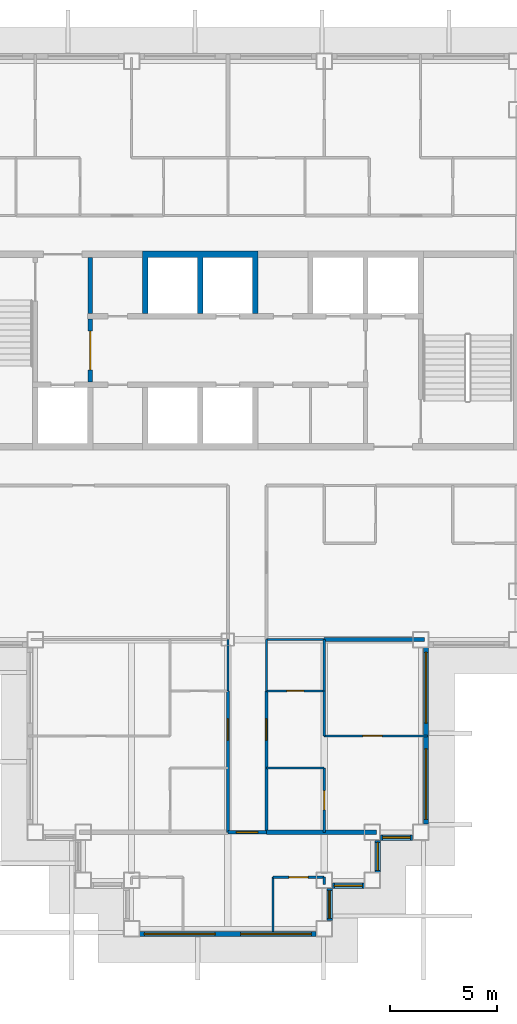
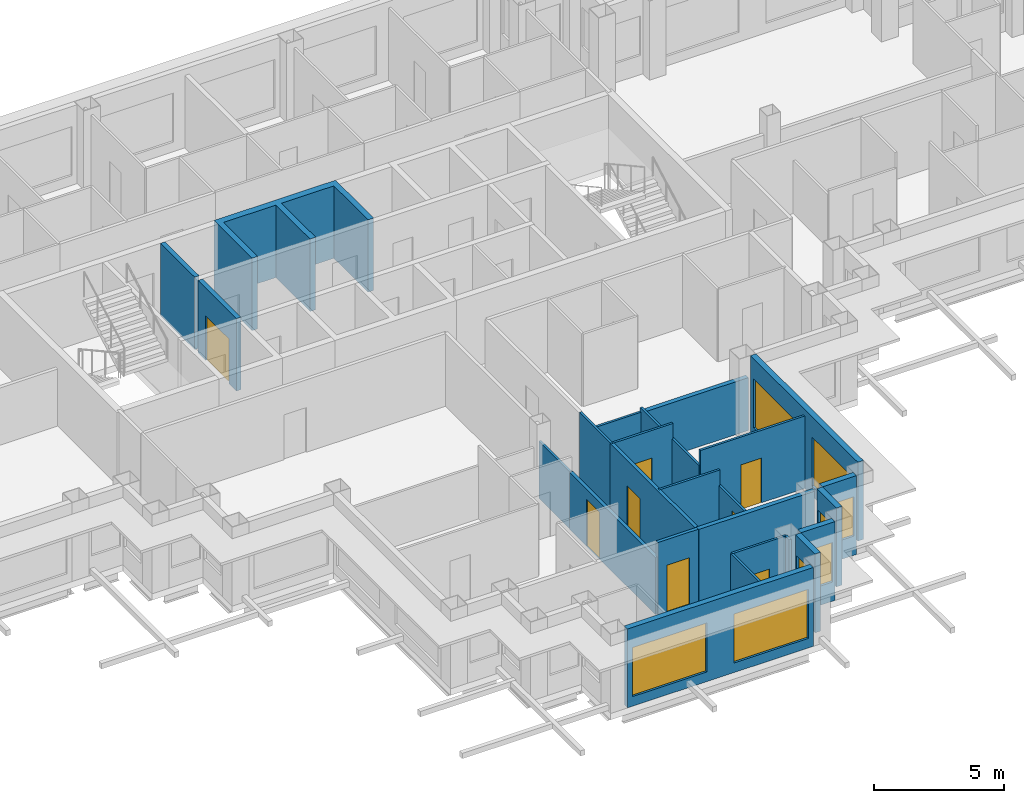
# One storey, part 5 of 15: 26 walls, 8 doors, 8 windows, 16 openings.
"""IFC4 building model written with IfcOpenShell, lengths in metres."""

from ifc_helpers import new_model, si_unit, direction, frame, frame_2d, origin, place, context, subcontext, project, spatial, polyline, rectangle, outline, extrude, material, layer, layer_set, type_object, element, fill, save


model = new_model("IFC4")

# Units and contexts
model_context = context("Model", 3, precision=1e-05, world=origin(), true_north=direction((0.0, 1.0)))
body_context = subcontext(model_context, "Body", "Model", "MODEL_VIEW")
ifc_project = project(units=[si_unit("LENGTHUNIT", "METRE"), si_unit("AREAUNIT", "SQUARE_METRE"), si_unit("VOLUMEUNIT", "CUBIC_METRE"), si_unit("PLANEANGLEUNIT", "RADIAN"), si_unit("MASSUNIT", "GRAM", prefix="KILO")], contexts=[model_context])

# Site, building, storey
site_placement = place(None, origin())
site = spatial("IfcSite", under=ifc_project, at=site_placement, CompositionType="ELEMENT")
building_placement = place(site_placement, origin())
building = spatial("IfcBuilding", under=site, at=building_placement, Name="Caravel Reach Hotel and Residences", CompositionType="ELEMENT")
storey_placement = place(building_placement, frame((0.0, 0.0, 172.800048828125)))
storey = spatial("IfcBuildingStorey", under=building, at=storey_placement, Name="L43", CompositionType="ELEMENT", Elevation=172.800048828125)

# Wall, opening, door
ifc_material_1 = material(Name="Gypsum board on steel stud", Category="steel")
ifc_layer_1 = layer(ifc_material_1, 0.10009765625)
ifc_layer_set_1 = layer_set([ifc_layer_1], Name="Bathroom pod wall 100 mm")
wall_type_1 = type_object("IfcWallType", Name="Bathroom pod wall 100 mm", PredefinedType="PARTITIONING", material=ifc_layer_set_1)
wall_1_placement = place(storey_placement, frame((33.300048828125, 11.10009765625, 0.0), z_axis=(0.0, 0.0, 1.0), x_axis=(1.0, 0.0, 0.0)))
wall_1 = element("IfcWall", 1, at=wall_1_placement, inside=storey, type_object=wall_type_1, Name="L43 wall w087", PredefinedType="PARTITIONING", context=body_context, shape_type="SweptSolid", body=[
    extrude(rectangle(XDim=2.699951171875, YDim=0.10009765625, at=frame_2d((1.35009765625, 0.0))), origin(), (0.0, 0.0, 1.0), 3.39990234375),
])
opening_1_placement = place(wall_1_placement, frame((0.949951171875, 0.0, 0.0)))
opening_1 = element("IfcOpeningElement", 2, at=opening_1_placement, cuts=wall_1, Name="Opening D43-046", PredefinedType="OPENING", context=body_context, shape_type="SweptSolid", body=[
    extrude(rectangle(XDim=0.800048828125, YDim=2.10009765625, at=frame_2d((0.39990234375, 1.050048828125))), frame((0.0, 0.06005859375, 0.0), z_axis=(0.0, -1.0, 0.0), x_axis=(1.0, 0.0, 0.0)), (0.0, 0.0, 1.0), 0.1201171875),
])
ifc_material_2 = material(Name="Timber and steel door leaf", Category="steel")
door_type_1 = type_object("IfcDoorType", Name="Bathroom door 800 x 2100", OperationType="SINGLE_SWING_LEFT", PredefinedType="DOOR", material=ifc_material_2)
door_1_placement = place(opening_1_placement, origin())
door_1 = element("IfcDoor", 3, at=door_1_placement, inside=storey, type_object=door_type_1, Name="door D43-046", OperationType="SINGLE_SWING_LEFT", OverallHeight=2.10009765625, OverallWidth=0.800048828125, PredefinedType="DOOR", context=body_context, shape_type="SweptSolid", body=[
    extrude(rectangle(XDim=0.800048828125, YDim=2.10009765625, at=frame_2d((0.39990234375, 1.050048828125))), frame((0.0, 0.02490234375, 0.0), z_axis=(0.0, -1.0, 0.0), x_axis=(1.0, 0.0, 0.0)), (0.0, 0.0, 1.0), 0.050048828125),
])
fill(opening_1, door_1)

# Walls
wall_2_placement = place(storey_placement, frame((33.301025390625, 13.5, 0.0), z_axis=(0.0, 0.0, 1.0), x_axis=(1.0, 0.0, 0.0)))
element("IfcWall", 4, at=wall_2_placement, inside=storey, type_object=wall_type_1, Name="L43 wall w089", PredefinedType="PARTITIONING", context=body_context, shape_type="SweptSolid", body=[
    extrude(rectangle(XDim=2.697998046875, YDim=0.10009765625, at=frame_2d((1.34912109375, 0.0))), origin(), (0.0, 0.0, 1.0), 2.47998046875),
])
wall_3_placement = place(storey_placement, frame((31.5, 11.10009765625, 0.0), z_axis=(0.0, 0.0, 1.0), x_axis=(0.0, 1.0, 0.0)))
element("IfcWall", 5, at=wall_3_placement, inside=storey, type_object=wall_type_1, Name="L43 wall w114", PredefinedType="PARTITIONING", context=body_context, shape_type="SweptSolid", body=[
    extrude(rectangle(XDim=2.39990234375, YDim=0.10009765625, at=frame_2d((1.199951171875, 0.0))), origin(), (0.0, 0.0, 1.0), 2.679931640625),
])
wall_4_placement = place(storey_placement, frame((33.300048828125, 11.10009765625, 0.0), z_axis=(0.0, 0.0, 1.0), x_axis=(0.0, 1.0, 0.0)))
element("IfcWall", 6, at=wall_4_placement, inside=storey, type_object=wall_type_1, Name="L43 wall w115", PredefinedType="PARTITIONING", context=body_context, shape_type="SweptSolid", body=[
    extrude(rectangle(XDim=2.39990234375, YDim=0.10009765625, at=frame_2d((1.199951171875, 0.0))), origin(), (0.0, 0.0, 1.0), 3.39990234375),
])
wall_5_placement = place(storey_placement, frame((36.0, 11.10009765625, 0.0), z_axis=(0.0, 0.0, 1.0), x_axis=(0.0, 1.0, 0.0)))
element("IfcWall", 7, at=wall_5_placement, inside=storey, type_object=wall_type_1, Name="L43 wall w117", PredefinedType="PARTITIONING", context=body_context, shape_type="SweptSolid", body=[
    extrude(rectangle(XDim=2.39990234375, YDim=0.10009765625, at=frame_2d((1.199951171875, 0.0))), origin(), (0.0, 0.0, 1.0), 2.679931640625),
])
ifc_material_3 = material(Name="Autoclaved aerated block wall")
ifc_layer_2 = layer(ifc_material_3, 0.199951171875)
ifc_layer_set_2 = layer_set([ifc_layer_2], Name="Compartment wall 200 mm EI 120")
wall_type_2 = type_object("IfcWallType", Name="Compartment wall 200 mm EI 120", PredefinedType="PARTITIONING", material=ifc_layer_set_2)
wall_6_placement = place(storey_placement, frame((25.071533203125, 28.72509765625, 0.0), z_axis=(0.0, 0.0, 1.0), x_axis=(0.0, 1.0, 0.0)))
element("IfcWall", 8, at=wall_6_placement, inside=storey, type_object=wall_type_2, Name="L43 store partition", PredefinedType="PARTITIONING", context=body_context, shape_type="SweptSolid", body=[
    extrude(rectangle(XDim=2.625, YDim=0.199951171875, at=frame_2d((1.3125, 0.0))), origin(), (0.0, 0.0, 1.0), 3.39990234375),
])

# Wall, opening, door
ifc_material_4 = material(Name="Gypsum board on steel stud, fire-rated", Category="steel")
ifc_layer_3 = layer(ifc_material_4, 0.14990234375)
ifc_layer_set_3 = layer_set([ifc_layer_3], Name="Corridor wall 150 mm EI 60")
wall_type_3 = type_object("IfcWallType", Name="Corridor wall 150 mm EI 60", PredefinedType="PARTITIONING", material=ifc_layer_set_3)
wall_7_placement = place(storey_placement, frame((31.5, 4.5, 0.0), z_axis=(0.0, 0.0, 1.0), x_axis=(1.0, 0.0, 0.0)))
wall_7 = element("IfcWall", 9, at=wall_7_placement, inside=storey, type_object=wall_type_3, Name="L43 wall w018", PredefinedType="PARTITIONING", context=body_context, shape_type="SweptSolid", body=[
    extrude(rectangle(XDim=1.800048828125, YDim=0.14990234375, at=frame_2d((0.89990234375, 0.0))), origin(), (0.0, 0.0, 1.0), 3.39990234375),
])
opening_2_placement = place(wall_7_placement, frame((0.39990234375, 0.0, 0.0)))
opening_2 = element("IfcOpeningElement", 10, at=opening_2_placement, cuts=wall_7, Name="Opening D43-054", PredefinedType="OPENING", context=body_context, shape_type="SweptSolid", body=[
    extrude(rectangle(XDim=1.0, YDim=2.199951171875, at=frame_2d((0.5, 1.10009765625))), frame((0.0, 0.0849609375, 0.0), z_axis=(0.0, -1.0, 0.0), x_axis=(1.0, 0.0, 0.0)), (0.0, 0.0, 1.0), 0.169921875),
])
ifc_material_5 = material(Name="Steel fire door leaf", Category="steel")
door_type_2 = type_object("IfcDoorType", Name="Flat entrance door 1000 x 2200 EI 60", OperationType="SINGLE_SWING_LEFT", PredefinedType="DOOR", material=ifc_material_5)
door_2_placement = place(opening_2_placement, origin())
door_2 = element("IfcDoor", 11, at=door_2_placement, inside=storey, type_object=door_type_2, Name="door D43-054", OperationType="SINGLE_SWING_LEFT", OverallHeight=2.199951171875, OverallWidth=1.0, PredefinedType="DOOR", context=body_context, shape_type="SweptSolid", body=[
    extrude(rectangle(XDim=1.0, YDim=2.199951171875, at=frame_2d((0.5, 1.10009765625))), frame((0.0, 0.02490234375, 0.0), z_axis=(0.0, -1.0, 0.0), x_axis=(1.0, 0.0, 0.0)), (0.0, 0.0, 1.0), 0.050048828125),
])
fill(opening_2, door_2)

wall_8_placement = place(storey_placement, frame((31.5, 4.5, 0.0), z_axis=(0.0, 0.0, 1.0), x_axis=(0.0, 1.0, 0.0)))
wall_8 = element("IfcWall", 12, at=wall_8_placement, inside=storey, type_object=wall_type_3, Name="L43 wall w022", PredefinedType="PARTITIONING", context=body_context, shape_type="SweptSolid", body=[
    extrude(rectangle(XDim=6.60009765625, YDim=0.14990234375, at=frame_2d((3.300048828125, 0.0))), origin(), (0.0, 0.0, 1.0), 2.679931640625),
])
opening_3_placement = place(wall_8_placement, frame((4.300048828125, 0.0, 0.0)))
opening_3 = element("IfcOpeningElement", 13, at=opening_3_placement, cuts=wall_8, Name="Opening D43-040", PredefinedType="OPENING", context=body_context, shape_type="SweptSolid", body=[
    extrude(rectangle(XDim=1.0, YDim=2.199951171875, at=frame_2d((0.5, 1.10009765625))), frame((0.0, 0.0849609375, 0.0), z_axis=(0.0, -1.0, 0.0), x_axis=(1.0, 0.0, 0.0)), (0.0, 0.0, 1.0), 0.169921875),
])
door_3_placement = place(opening_3_placement, origin())
door_3 = element("IfcDoor", 14, at=door_3_placement, inside=storey, type_object=door_type_2, Name="door D43-040", OperationType="SINGLE_SWING_RIGHT", OverallHeight=2.199951171875, OverallWidth=1.0, PredefinedType="DOOR", context=body_context, shape_type="SweptSolid", body=[
    extrude(rectangle(XDim=1.0, YDim=2.199951171875, at=frame_2d((0.5, 1.10009765625))), frame((0.0, 0.02490234375, 0.0), z_axis=(0.0, -1.0, 0.0), x_axis=(1.0, 0.0, 0.0)), (0.0, 0.0, 1.0), 0.050048828125),
])
fill(opening_3, door_3)

wall_9_placement = place(storey_placement, frame((33.300048828125, 4.5, 0.0), z_axis=(0.0, 0.0, 1.0), x_axis=(0.0, 1.0, 0.0)))
wall_9 = element("IfcWall", 15, at=wall_9_placement, inside=storey, type_object=wall_type_3, Name="L43 wall w025", PredefinedType="PARTITIONING", context=body_context, shape_type="SweptSolid", body=[
    extrude(rectangle(XDim=6.60009765625, YDim=0.14990234375, at=frame_2d((3.300048828125, 0.0))), origin(), (0.0, 0.0, 1.0), 3.39990234375),
])
opening_4_placement = place(wall_9_placement, frame((4.300048828125, 0.0, 0.0)))
opening_4 = element("IfcOpeningElement", 16, at=opening_4_placement, cuts=wall_9, Name="Opening D43-044", PredefinedType="OPENING", context=body_context, shape_type="SweptSolid", body=[
    extrude(rectangle(XDim=1.0, YDim=2.199951171875, at=frame_2d((0.5, 1.10009765625))), frame((0.0, 0.0849609375, 0.0), z_axis=(0.0, -1.0, 0.0), x_axis=(1.0, 0.0, 0.0)), (0.0, 0.0, 1.0), 0.169921875),
])
door_4_placement = place(opening_4_placement, origin())
door_4 = element("IfcDoor", 17, at=door_4_placement, inside=storey, type_object=door_type_2, Name="door D43-044", OperationType="SINGLE_SWING_LEFT", OverallHeight=2.199951171875, OverallWidth=1.0, PredefinedType="DOOR", context=body_context, shape_type="SweptSolid", body=[
    extrude(rectangle(XDim=1.0, YDim=2.199951171875, at=frame_2d((0.5, 1.10009765625))), frame((0.0, 0.02490234375, 0.0), z_axis=(0.0, -1.0, 0.0), x_axis=(1.0, 0.0, 0.0)), (0.0, 0.0, 1.0), 0.050048828125),
])
fill(opening_4, door_4)

# Wall, openings, windows
ifc_material_6 = material(Name="Insulated rainscreen wall, aluminium cladding", Category="aluminium")
ifc_layer_4 = layer(ifc_material_6, 0.25)
ifc_layer_set_4 = layer_set([ifc_layer_4], Name="EW1 Tower rainscreen wall")
wall_type_4 = type_object("IfcWallType", Name="EW1 Tower rainscreen wall", PredefinedType="SOLIDWALL", material=ifc_layer_set_4)
wall_10_placement = place(storey_placement, frame((27.375, -0.25, 0.0), z_axis=(0.0, 0.0, 1.0), x_axis=(1.0, 0.0, 0.0)))
wall_10 = element("IfcWall", 18, at=wall_10_placement, inside=storey, type_object=wall_type_4, Name="External wall L43 S5.1", PredefinedType="SOLIDWALL", context=body_context, shape_type="SweptSolid", body=[
    extrude(rectangle(XDim=8.25, YDim=0.25, at=frame_2d((4.125, 0.0))), origin(), (0.0, 0.0, 1.0), 3.699951171875),
])
opening_5_placement = place(wall_10_placement, frame((0.22509765625, 0.0, 0.449951171875)))
opening_5 = element("IfcOpeningElement", 19, at=opening_5_placement, cuts=wall_10, Name="Opening WN15", PredefinedType="OPENING", context=body_context, shape_type="SweptSolid", body=[
    extrude(rectangle(XDim=3.300048828125, YDim=2.300048828125, at=frame_2d((1.64990234375, 1.14990234375))), frame((0.0, 0.135009765625, 0.0), z_axis=(0.0, -1.0, 0.0), x_axis=(1.0, 0.0, 0.0)), (0.0, 0.0, 1.0), 0.27001953125),
])
opening_6_placement = place(wall_10_placement, frame((4.72509765625, 0.0, 0.449951171875)))
opening_6 = element("IfcOpeningElement", 20, at=opening_6_placement, cuts=wall_10, Name="Opening WN15", PredefinedType="OPENING", context=body_context, shape_type="SweptSolid", body=[
    extrude(rectangle(XDim=3.300048828125, YDim=2.300048828125, at=frame_2d((1.64990234375, 1.14990234375))), frame((0.0, 0.135009765625, 0.0), z_axis=(0.0, -1.0, 0.0), x_axis=(1.0, 0.0, 0.0)), (0.0, 0.0, 1.0), 0.27001953125),
])
ifc_material_7 = material(Name="Dark low-e glazing in black aluminium frame", Category="aluminium")
window_type_1 = type_object("IfcWindowType", Name="Residence living window 3300 x 2300", PartitioningType="SINGLE_PANEL", PredefinedType="WINDOW", material=ifc_material_7)
window_1_placement = place(opening_5_placement, origin())
window_1 = element("IfcWindow", 21, at=window_1_placement, inside=storey, type_object=window_type_1, Name="Window L43 S5.1.1", OverallHeight=2.300048828125, OverallWidth=3.300048828125, PartitioningType="SINGLE_PANEL", PredefinedType="WINDOW", context=body_context, shape_type="SweptSolid", body=[
    extrude(rectangle(XDim=3.300048828125, YDim=2.300048828125, at=frame_2d((1.64990234375, 1.14990234375))), frame((0.0, 0.030029296875, 0.0), z_axis=(0.0, -1.0, 0.0), x_axis=(1.0, 0.0, 0.0)), (0.0, 0.0, 1.0), 0.06005859375),
])
fill(opening_5, window_1)
window_2_placement = place(opening_6_placement, origin())
window_2 = element("IfcWindow", 22, at=window_2_placement, inside=storey, type_object=window_type_1, Name="Window L43 S5.1.2", OverallHeight=2.300048828125, OverallWidth=3.300048828125, PartitioningType="SINGLE_PANEL", PredefinedType="WINDOW", context=body_context, shape_type="SweptSolid", body=[
    extrude(rectangle(XDim=3.300048828125, YDim=2.300048828125, at=frame_2d((1.64990234375, 1.14990234375))), frame((0.0, 0.030029296875, 0.0), z_axis=(0.0, -1.0, 0.0), x_axis=(1.0, 0.0, 0.0)), (0.0, 0.0, 1.0), 0.06005859375),
])
fill(opening_6, window_2)

# Wall, opening, window
wall_11_placement = place(storey_placement, frame((36.25, 0.375, 0.0), z_axis=(0.0, 0.0, 1.0), x_axis=(0.0, 1.0, 0.0)))
wall_11 = element("IfcWall", 23, at=wall_11_placement, inside=storey, type_object=wall_type_4, Name="External wall L43 E6.1", PredefinedType="SOLIDWALL", context=body_context, shape_type="SweptSolid", body=[
    extrude(rectangle(XDim=1.5, YDim=0.25, at=frame_2d((0.75, 0.0))), origin(), (0.0, 0.0, 1.0), 3.699951171875),
])
opening_7_placement = place(wall_11_placement, frame((0.10009765625, 0.0, 0.89990234375)))
opening_7 = element("IfcOpeningElement", 24, at=opening_7_placement, cuts=wall_11, Name="Opening WN16", PredefinedType="OPENING", context=body_context, shape_type="SweptSolid", body=[
    extrude(rectangle(XDim=1.300048828125, YDim=1.85009765625, at=frame_2d((0.64990234375, 0.925048828125))), frame((0.0, 0.135009765625, 0.0), z_axis=(0.0, -1.0, 0.0), x_axis=(1.0, 0.0, 0.0)), (0.0, 0.0, 1.0), 0.27001953125),
])
ifc_material_8 = material(Name="Dark low-e glazing in black aluminium frame", Category="aluminium")
window_type_2 = type_object("IfcWindowType", Name="Residence bedroom window 1300 x 1850", PartitioningType="SINGLE_PANEL", PredefinedType="WINDOW", material=ifc_material_8)
window_3_placement = place(opening_7_placement, origin())
window_3 = element("IfcWindow", 25, at=window_3_placement, inside=storey, type_object=window_type_2, Name="Window L43 E6.1.1", OverallHeight=1.85009765625, OverallWidth=1.300048828125, PartitioningType="SINGLE_PANEL", PredefinedType="WINDOW", context=body_context, shape_type="SweptSolid", body=[
    extrude(rectangle(XDim=1.300048828125, YDim=1.85009765625, at=frame_2d((0.64990234375, 0.925048828125))), frame((0.0, 0.030029296875, 0.0), z_axis=(0.0, -1.0, 0.0), x_axis=(1.0, 0.0, 0.0)), (0.0, 0.0, 1.0), 0.06005859375),
])
fill(opening_7, window_3)

wall_12_placement = place(storey_placement, frame((36.375, 2.0, 0.0), z_axis=(0.0, 0.0, 1.0), x_axis=(1.0, 0.0, 0.0)))
wall_12 = element("IfcWall", 26, at=wall_12_placement, inside=storey, type_object=wall_type_4, Name="External wall L43 S7.1", PredefinedType="SOLIDWALL", context=body_context, shape_type="SweptSolid", body=[
    extrude(rectangle(XDim=1.5, YDim=0.25, at=frame_2d((0.75, 0.0))), origin(), (0.0, 0.0, 1.0), 3.699951171875),
])
opening_8_placement = place(wall_12_placement, frame((0.10009765625, 0.0, 0.89990234375)))
opening_8 = element("IfcOpeningElement", 27, at=opening_8_placement, cuts=wall_12, Name="Opening WN16", PredefinedType="OPENING", context=body_context, shape_type="SweptSolid", body=[
    extrude(rectangle(XDim=1.300048828125, YDim=1.85009765625, at=frame_2d((0.64990234375, 0.925048828125))), frame((0.0, 0.135009765625, 0.0), z_axis=(0.0, -1.0, 0.0), x_axis=(1.0, 0.0, 0.0)), (0.0, 0.0, 1.0), 0.27001953125),
])
window_4_placement = place(opening_8_placement, origin())
window_4 = element("IfcWindow", 28, at=window_4_placement, inside=storey, type_object=window_type_2, Name="Window L43 S7.1.1", OverallHeight=1.85009765625, OverallWidth=1.300048828125, PartitioningType="SINGLE_PANEL", PredefinedType="WINDOW", context=body_context, shape_type="SweptSolid", body=[
    extrude(rectangle(XDim=1.300048828125, YDim=1.85009765625, at=frame_2d((0.64990234375, 0.925048828125))), frame((0.0, 0.030029296875, 0.0), z_axis=(0.0, -1.0, 0.0), x_axis=(1.0, 0.0, 0.0)), (0.0, 0.0, 1.0), 0.06005859375),
])
fill(opening_8, window_4)

wall_13_placement = place(storey_placement, frame((38.5, 2.625, 0.0), z_axis=(0.0, 0.0, 1.0), x_axis=(0.0, 1.0, 0.0)))
wall_13 = element("IfcWall", 29, at=wall_13_placement, inside=storey, type_object=wall_type_4, Name="External wall L43 E8.1", PredefinedType="SOLIDWALL", context=body_context, shape_type="SweptSolid", body=[
    extrude(rectangle(XDim=1.5, YDim=0.25, at=frame_2d((0.75, 0.0))), origin(), (0.0, 0.0, 1.0), 3.699951171875),
])
opening_9_placement = place(wall_13_placement, frame((0.10009765625, 0.0, 0.89990234375)))
opening_9 = element("IfcOpeningElement", 30, at=opening_9_placement, cuts=wall_13, Name="Opening WN16", PredefinedType="OPENING", context=body_context, shape_type="SweptSolid", body=[
    extrude(rectangle(XDim=1.300048828125, YDim=1.85009765625, at=frame_2d((0.64990234375, 0.925048828125))), frame((0.0, 0.135009765625, 0.0), z_axis=(0.0, -1.0, 0.0), x_axis=(1.0, 0.0, 0.0)), (0.0, 0.0, 1.0), 0.27001953125),
])
window_5_placement = place(opening_9_placement, origin())
window_5 = element("IfcWindow", 31, at=window_5_placement, inside=storey, type_object=window_type_2, Name="Window L43 E8.1.1", OverallHeight=1.85009765625, OverallWidth=1.300048828125, PartitioningType="SINGLE_PANEL", PredefinedType="WINDOW", context=body_context, shape_type="SweptSolid", body=[
    extrude(rectangle(XDim=1.300048828125, YDim=1.85009765625, at=frame_2d((0.64990234375, 0.925048828125))), frame((0.0, 0.030029296875, 0.0), z_axis=(0.0, -1.0, 0.0), x_axis=(1.0, 0.0, 0.0)), (0.0, 0.0, 1.0), 0.06005859375),
])
fill(opening_9, window_5)

wall_14_placement = place(storey_placement, frame((38.625, 4.25, 0.0), z_axis=(0.0, 0.0, 1.0), x_axis=(1.0, 0.0, 0.0)))
wall_14 = element("IfcWall", 32, at=wall_14_placement, inside=storey, type_object=wall_type_4, Name="External wall L43 S9.1", PredefinedType="SOLIDWALL", context=body_context, shape_type="SweptSolid", body=[
    extrude(rectangle(XDim=1.5, YDim=0.25, at=frame_2d((0.75, 0.0))), origin(), (0.0, 0.0, 1.0), 3.699951171875),
])
opening_10_placement = place(wall_14_placement, frame((0.10009765625, 0.0, 0.89990234375)))
opening_10 = element("IfcOpeningElement", 33, at=opening_10_placement, cuts=wall_14, Name="Opening WN16", PredefinedType="OPENING", context=body_context, shape_type="SweptSolid", body=[
    extrude(rectangle(XDim=1.300048828125, YDim=1.85009765625, at=frame_2d((0.64990234375, 0.925048828125))), frame((0.0, 0.135009765625, 0.0), z_axis=(0.0, -1.0, 0.0), x_axis=(1.0, 0.0, 0.0)), (0.0, 0.0, 1.0), 0.27001953125),
])
window_6_placement = place(opening_10_placement, origin())
window_6 = element("IfcWindow", 34, at=window_6_placement, inside=storey, type_object=window_type_2, Name="Window L43 S9.1.1", OverallHeight=1.85009765625, OverallWidth=1.300048828125, PartitioningType="SINGLE_PANEL", PredefinedType="WINDOW", context=body_context, shape_type="SweptSolid", body=[
    extrude(rectangle(XDim=1.300048828125, YDim=1.85009765625, at=frame_2d((0.64990234375, 0.925048828125))), frame((0.0, 0.030029296875, 0.0), z_axis=(0.0, -1.0, 0.0), x_axis=(1.0, 0.0, 0.0)), (0.0, 0.0, 1.0), 0.06005859375),
])
fill(opening_10, window_6)

# Wall, openings, windows
wall_15_placement = place(storey_placement, frame((40.75, 4.875, 0.0), z_axis=(0.0, 0.0, 1.0), x_axis=(0.0, 1.0, 0.0)))
wall_15 = element("IfcWall", 35, at=wall_15_placement, inside=storey, type_object=wall_type_4, Name="External wall L43 E10.1", PredefinedType="SOLIDWALL", context=body_context, shape_type="SweptSolid", body=[
    extrude(rectangle(XDim=8.25, YDim=0.25, at=frame_2d((4.125, 0.0))), origin(), (0.0, 0.0, 1.0), 3.699951171875),
])
opening_11_placement = place(wall_15_placement, frame((0.22509765625, 0.0, 0.449951171875)))
opening_11 = element("IfcOpeningElement", 36, at=opening_11_placement, cuts=wall_15, Name="Opening WN15", PredefinedType="OPENING", context=body_context, shape_type="SweptSolid", body=[
    extrude(rectangle(XDim=3.300048828125, YDim=2.300048828125, at=frame_2d((1.64990234375, 1.14990234375))), frame((0.0, 0.135009765625, 0.0), z_axis=(0.0, -1.0, 0.0), x_axis=(1.0, 0.0, 0.0)), (0.0, 0.0, 1.0), 0.27001953125),
])
opening_12_placement = place(wall_15_placement, frame((4.72509765625, 0.0, 0.449951171875)))
opening_12 = element("IfcOpeningElement", 37, at=opening_12_placement, cuts=wall_15, Name="Opening WN15", PredefinedType="OPENING", context=body_context, shape_type="SweptSolid", body=[
    extrude(rectangle(XDim=3.300048828125, YDim=2.300048828125, at=frame_2d((1.64990234375, 1.14990234375))), frame((0.0, 0.135009765625, 0.0), z_axis=(0.0, -1.0, 0.0), x_axis=(1.0, 0.0, 0.0)), (0.0, 0.0, 1.0), 0.27001953125),
])
window_7_placement = place(opening_11_placement, origin())
window_7 = element("IfcWindow", 38, at=window_7_placement, inside=storey, type_object=window_type_1, Name="Window L43 E10.1.1", OverallHeight=2.300048828125, OverallWidth=3.300048828125, PartitioningType="SINGLE_PANEL", PredefinedType="WINDOW", context=body_context, shape_type="SweptSolid", body=[
    extrude(rectangle(XDim=3.300048828125, YDim=2.300048828125, at=frame_2d((1.64990234375, 1.14990234375))), frame((0.0, 0.030029296875, 0.0), z_axis=(0.0, -1.0, 0.0), x_axis=(1.0, 0.0, 0.0)), (0.0, 0.0, 1.0), 0.06005859375),
])
fill(opening_11, window_7)
window_8_placement = place(opening_12_placement, origin())
window_8 = element("IfcWindow", 39, at=window_8_placement, inside=storey, type_object=window_type_1, Name="Window L43 E10.1.2", OverallHeight=2.300048828125, OverallWidth=3.300048828125, PartitioningType="SINGLE_PANEL", PredefinedType="WINDOW", context=body_context, shape_type="SweptSolid", body=[
    extrude(rectangle(XDim=3.300048828125, YDim=2.300048828125, at=frame_2d((1.64990234375, 1.14990234375))), frame((0.0, 0.030029296875, 0.0), z_axis=(0.0, -1.0, 0.0), x_axis=(1.0, 0.0, 0.0)), (0.0, 0.0, 1.0), 0.06005859375),
])
fill(opening_12, window_8)

# Wall, opening, door
ifc_material_9 = material(Name="Autoclaved aerated block wall")
ifc_layer_5 = layer(ifc_material_9, 0.199951171875)
ifc_layer_set_5 = layer_set([ifc_layer_5], Name="Fire lobby wall 200 mm EI 120")
wall_type_5 = type_object("IfcWallType", Name="Fire lobby wall 200 mm EI 120", PredefinedType="PARTITIONING", material=ifc_layer_set_5)
wall_16_placement = place(storey_placement, frame((25.071533203125, 25.52490234375, 0.0), z_axis=(0.0, 0.0, 1.0), x_axis=(0.0, 1.0, 0.0)))
wall_16 = element("IfcWall", 40, at=wall_16_placement, inside=storey, type_object=wall_type_5, Name="L43 lobby W wall", PredefinedType="PARTITIONING", context=body_context, shape_type="SweptSolid", body=[
    extrude(rectangle(XDim=2.9501953125, YDim=0.199951171875, at=frame_2d((1.47509765625, 0.0))), origin(), (0.0, 0.0, 1.0), 3.39990234375),
])
opening_13_placement = place(wall_16_placement, frame((0.574951171875, 0.0, 0.0)))
opening_13 = element("IfcOpeningElement", 41, at=opening_13_placement, cuts=wall_16, Name="Opening D43-013", PredefinedType="OPENING", context=body_context, shape_type="SweptSolid", body=[
    extrude(rectangle(XDim=1.800048828125, YDim=2.10009765625, at=frame_2d((0.89990234375, 1.050048828125))), frame((0.0, 0.10986328125, 0.0), z_axis=(0.0, -1.0, 0.0), x_axis=(1.0, 0.0, 0.0)), (0.0, 0.0, 1.0), 0.219970703125),
])
ifc_material_10 = material(Name="Steel fire door leaf", Category="steel")
door_type_3 = type_object("IfcDoorType", Name="Fire lobby door pair 1800 x 2100 EI 90", OperationType="DOUBLE_DOOR_SINGLE_SWING", PredefinedType="DOOR", material=ifc_material_10)
door_5_placement = place(opening_13_placement, origin())
door_5 = element("IfcDoor", 42, at=door_5_placement, inside=storey, type_object=door_type_3, Name="lobby W door pair", OperationType="DOUBLE_DOOR_SINGLE_SWING", OverallHeight=2.10009765625, OverallWidth=1.800048828125, PredefinedType="DOOR", context=body_context, shape_type="SweptSolid", body=[
    extrude(rectangle(XDim=1.800048828125, YDim=2.10009765625, at=frame_2d((0.89990234375, 1.050048828125))), frame((0.0, 0.02490234375, 0.0), z_axis=(0.0, -1.0, 0.0), x_axis=(1.0, 0.0, 0.0)), (0.0, 0.0, 1.0), 0.050048828125),
])
fill(opening_13, door_5)

ifc_material_11 = material(Name="Gypsum board on steel stud", Category="steel")
ifc_layer_6 = layer(ifc_material_11, 0.10009765625)
ifc_layer_set_6 = layer_set([ifc_layer_6], Name="Partition 100 mm")
wall_type_6 = type_object("IfcWallType", Name="Partition 100 mm", PredefinedType="PARTITIONING", material=ifc_layer_set_6)
wall_17_placement = place(storey_placement, frame((33.60009765625, 2.39990234375, 0.0), z_axis=(0.0, 0.0, 1.0), x_axis=(1.0, 0.0, 0.0)))
wall_17 = element("IfcWall", 43, at=wall_17_placement, inside=storey, type_object=wall_type_6, Name="L43 wall w033", PredefinedType="PARTITIONING", context=body_context, shape_type="SweptSolid", body=[
    extrude(rectangle(XDim=2.39990234375, YDim=0.10009765625, at=frame_2d((1.199951171875, 0.0))), origin(), (0.0, 0.0, 1.0), 3.39990234375),
])
opening_14_placement = place(wall_17_placement, frame((0.75, 0.0, 0.0)))
opening_14 = element("IfcOpeningElement", 44, at=opening_14_placement, cuts=wall_17, Name="Opening D43-056", PredefinedType="OPENING", context=body_context, shape_type="SweptSolid", body=[
    extrude(rectangle(XDim=0.89990234375, YDim=2.10009765625, at=frame_2d((0.449951171875, 1.050048828125))), frame((0.0, 0.06005859375, 0.0), z_axis=(0.0, -1.0, 0.0), x_axis=(1.0, 0.0, 0.0)), (0.0, 0.0, 1.0), 0.1201171875),
])
ifc_material_12 = material(Name="Timber and steel door leaf", Category="steel")
door_type_4 = type_object("IfcDoorType", Name="Door 900 x 2100 timber", OperationType="SINGLE_SWING_LEFT", PredefinedType="DOOR", material=ifc_material_12)
door_6_placement = place(opening_14_placement, origin())
door_6 = element("IfcDoor", 45, at=door_6_placement, inside=storey, type_object=door_type_4, Name="door D43-056", OperationType="SINGLE_SWING_LEFT", OverallHeight=2.10009765625, OverallWidth=0.89990234375, PredefinedType="DOOR", context=body_context, shape_type="SweptSolid", body=[
    extrude(rectangle(XDim=0.89990234375, YDim=2.10009765625, at=frame_2d((0.449951171875, 1.050048828125))), frame((0.0, 0.02490234375, 0.0), z_axis=(0.0, -1.0, 0.0), x_axis=(1.0, 0.0, 0.0)), (0.0, 0.0, 1.0), 0.050048828125),
])
fill(opening_14, door_6)

# Wall
wall_18_placement = place(storey_placement, frame((33.300048828125, 7.5, 0.0), z_axis=(0.0, 0.0, 1.0), x_axis=(1.0, 0.0, 0.0)))
element("IfcWall", 46, at=wall_18_placement, inside=storey, type_object=wall_type_6, Name="L43 wall w048", PredefinedType="PARTITIONING", context=body_context, shape_type="SweptSolid", body=[
    extrude(rectangle(XDim=2.699951171875, YDim=0.10009765625, at=frame_2d((1.35009765625, 0.0))), origin(), (0.0, 0.0, 1.0), 3.39990234375),
])

# Wall, opening, door
wall_19_placement = place(storey_placement, frame((36.0, 9.0, 0.0), z_axis=(0.0, 0.0, 1.0), x_axis=(1.0, 0.0, 0.0)))
wall_19 = element("IfcWall", 47, at=wall_19_placement, inside=storey, type_object=wall_type_6, Name="L43 wall w050", PredefinedType="PARTITIONING", context=body_context, shape_type="SweptSolid", body=[
    extrude(rectangle(XDim=4.81494140625, YDim=0.10009765625, at=frame_2d((2.407470703125, 0.0))), origin(), (0.0, 0.0, 1.0), 3.39990234375),
])
opening_15_placement = place(wall_19_placement, frame((1.800048828125, 0.0, 0.0)))
opening_15 = element("IfcOpeningElement", 48, at=opening_15_placement, cuts=wall_19, Name="Opening D43-047", PredefinedType="OPENING", context=body_context, shape_type="SweptSolid", body=[
    extrude(rectangle(XDim=0.89990234375, YDim=2.10009765625, at=frame_2d((0.449951171875, 1.050048828125))), frame((0.0, 0.06005859375, 0.0), z_axis=(0.0, -1.0, 0.0), x_axis=(1.0, 0.0, 0.0)), (0.0, 0.0, 1.0), 0.1201171875),
])
door_7_placement = place(opening_15_placement, origin())
door_7 = element("IfcDoor", 49, at=door_7_placement, inside=storey, type_object=door_type_4, Name="door D43-047", OperationType="SINGLE_SWING_LEFT", OverallHeight=2.10009765625, OverallWidth=0.89990234375, PredefinedType="DOOR", context=body_context, shape_type="SweptSolid", body=[
    extrude(rectangle(XDim=0.89990234375, YDim=2.10009765625, at=frame_2d((0.449951171875, 1.050048828125))), frame((0.0, 0.02490234375, 0.0), z_axis=(0.0, -1.0, 0.0), x_axis=(1.0, 0.0, 0.0)), (0.0, 0.0, 1.0), 0.050048828125),
])
fill(opening_15, door_7)

# Walls
wall_20_placement = place(storey_placement, frame((33.60009765625, -0.125, 0.0), z_axis=(0.0, 0.0, 1.0), x_axis=(0.0, 1.0, 0.0)))
element("IfcWall", 50, at=wall_20_placement, inside=storey, type_object=wall_type_6, Name="L43 wall w061", PredefinedType="PARTITIONING", context=body_context, shape_type="SweptSolid", body=[
    extrude(rectangle(XDim=2.52490234375, YDim=0.10009765625, at=frame_2d((1.262451171875, 0.0))), origin(), (0.0, 0.0, 1.0), 3.39990234375),
])
wall_21_placement = place(storey_placement, frame((36.0, 9.0, 0.0), z_axis=(0.0, 0.0, 1.0), x_axis=(0.0, 1.0, 0.0)))
element("IfcWall", 51, at=wall_21_placement, inside=storey, type_object=wall_type_6, Name="L43 wall w063", PredefinedType="PARTITIONING", context=body_context, shape_type="SweptSolid", body=[
    extrude(rectangle(XDim=2.10009765625, YDim=0.10009765625, at=frame_2d((1.050048828125, 0.0))), origin(), (0.0, 0.0, 1.0), 2.679931640625),
])

# Wall, opening, door
wall_22_placement = place(storey_placement, frame((36.0, 4.5, 0.0), z_axis=(0.0, 0.0, 1.0), x_axis=(0.0, 1.0, 0.0)))
wall_22 = element("IfcWall", 52, at=wall_22_placement, inside=storey, type_object=wall_type_6, Name="L43 wall w064", PredefinedType="PARTITIONING", context=body_context, shape_type="SweptSolid", body=[
    extrude(rectangle(XDim=3.0, YDim=0.10009765625, at=frame_2d((1.5, 0.0))), origin(), (0.0, 0.0, 1.0), 2.679931640625),
])
opening_16_placement = place(wall_22_placement, frame((1.050048828125, 0.0, 0.0)))
opening_16 = element("IfcOpeningElement", 53, at=opening_16_placement, cuts=wall_22, Name="Opening D43-045", PredefinedType="OPENING", context=body_context, shape_type="SweptSolid", body=[
    extrude(rectangle(XDim=0.89990234375, YDim=2.10009765625, at=frame_2d((0.449951171875, 1.050048828125))), frame((0.0, 0.06005859375, 0.0), z_axis=(0.0, -1.0, 0.0), x_axis=(1.0, 0.0, 0.0)), (0.0, 0.0, 1.0), 0.1201171875),
])
door_8_placement = place(opening_16_placement, origin())
door_8 = element("IfcDoor", 54, at=door_8_placement, inside=storey, type_object=door_type_4, Name="door D43-045", OperationType="SINGLE_SWING_RIGHT", OverallHeight=2.10009765625, OverallWidth=0.89990234375, PredefinedType="DOOR", context=body_context, shape_type="SweptSolid", body=[
    extrude(rectangle(XDim=0.89990234375, YDim=2.10009765625, at=frame_2d((0.449951171875, 1.050048828125))), frame((0.0, 0.02490234375, 0.0), z_axis=(0.0, -1.0, 0.0), x_axis=(1.0, 0.0, 0.0)), (0.0, 0.0, 1.0), 0.050048828125),
])
fill(opening_16, door_8)

# Walls
wall_23_placement = place(storey_placement, frame((36.0, 2.06005859375, 0.0), z_axis=(0.0, 0.0, 1.0), x_axis=(0.0, 1.0, 0.0)))
element("IfcWall", 55, at=wall_23_placement, inside=storey, type_object=wall_type_6, Name="L43 wall w065", PredefinedType="PARTITIONING", context=body_context, shape_type="SweptSolid", body=[
    extrude(rectangle(XDim=0.33984375, YDim=0.10009765625, at=frame_2d((0.169921875, 0.0))), origin(), (0.0, 0.0, 1.0), 3.39990234375),
])
ifc_material_13 = material(Name="Autoclaved aerated block wall")
ifc_layer_7 = layer(ifc_material_13, 0.199951171875)
ifc_layer_set_7 = layer_set([ifc_layer_7], Name="Party wall 200 mm EI 60")
wall_type_7 = type_object("IfcWallType", Name="Party wall 200 mm EI 60", PredefinedType="PARTITIONING", material=ifc_layer_set_7)
wall_24_placement = place(storey_placement, frame((36.0, 13.5, 0.0), z_axis=(0.0, 0.0, 1.0), x_axis=(1.0, 0.0, 0.0)))
element("IfcWall", 56, at=wall_24_placement, inside=storey, type_object=wall_type_7, Name="L43 wall w078", PredefinedType="PARTITIONING", context=body_context, shape_type="SweptSolid", body=[
    extrude(rectangle(XDim=4.68994140625, YDim=0.199951171875, at=frame_2d((2.344970703125, 0.0))), origin(), (0.0, 0.0, 1.0), 2.47998046875),
])
wall_25_placement = place(storey_placement, frame((33.300048828125, 4.5, 0.0), z_axis=(0.0, 0.0, 1.0), x_axis=(1.0, 0.0, 0.0)))
element("IfcWall", 57, at=wall_25_placement, inside=storey, type_object=wall_type_7, Name="L43 wall w080", PredefinedType="PARTITIONING", context=body_context, shape_type="SweptSolid", body=[
    extrude(rectangle(XDim=5.139892578125, YDim=0.199951171875, at=frame_2d((2.56982421875, 0.0))), origin(), (0.0, 0.0, 1.0), 3.39990234375),
])
ifc_material_14 = material(Name="Concrete C60", Category="concrete")
ifc_layer_8 = layer(ifc_material_14, 0.25)
ifc_layer_set_8 = layer_set([ifc_layer_8], Name="Shaft wall 250 mm EI 120")
wall_type_8 = type_object("IfcWallType", Name="Shaft wall 250 mm EI 120", PredefinedType="SHEAR", material=ifc_layer_set_8)
wall_26_placement = place(storey_placement, origin())
element("IfcWall", 58, at=wall_26_placement, inside=storey, type_object=wall_type_8, Name="L43 lift shaft wall N1", PredefinedType="SHEAR", context=body_context, shape_type="SweptSolid", body=[
    extrude(outline(polyline([(27.517822265625, 28.72509765625), (27.767822265625, 28.72509765625), (27.767822265625, 31.35009765625), (30.08935546875, 31.35009765625), (30.08935546875, 28.72509765625), (30.33935546875, 28.72509765625), (30.33935546875, 31.35009765625), (32.66064453125, 31.35009765625), (32.66064453125, 28.72509765625), (32.91064453125, 28.72509765625), (32.91064453125, 31.64990234375), (27.517822265625, 31.64990234375), (27.517822265625, 28.72509765625)])), origin(), (0.0, 0.0, 1.0), 3.39990234375),
])

save(model, "model.ifc")
